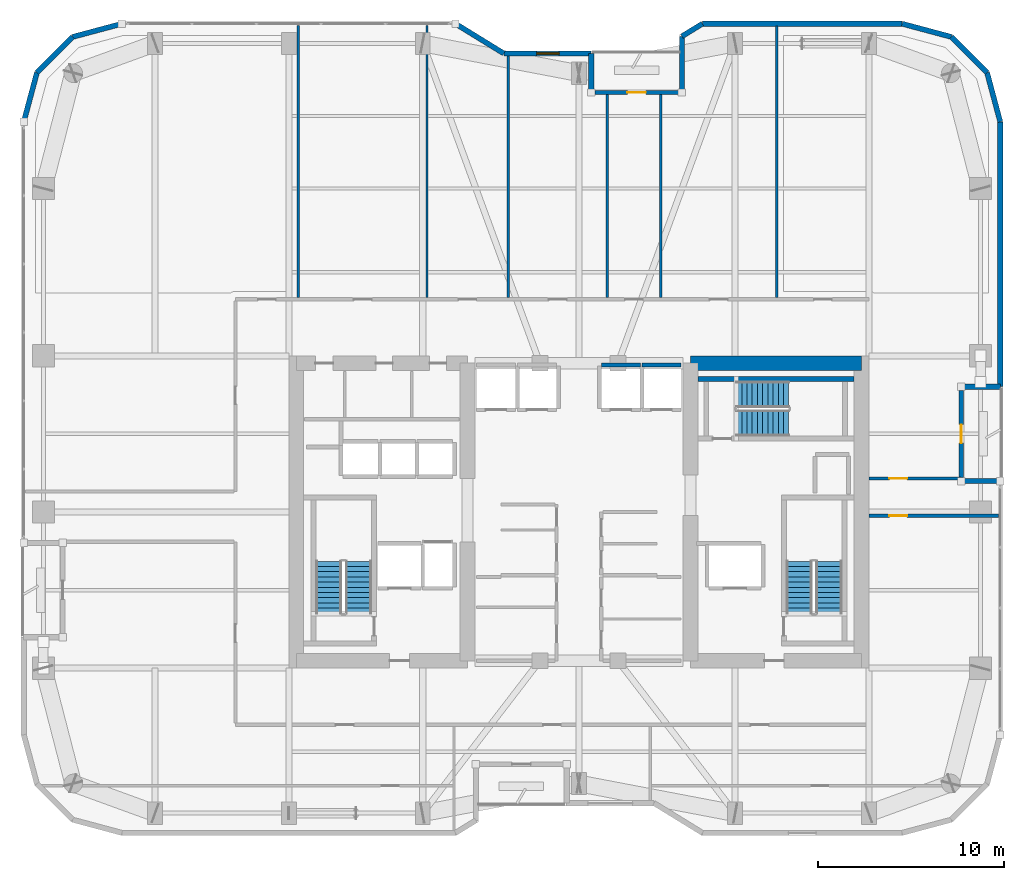
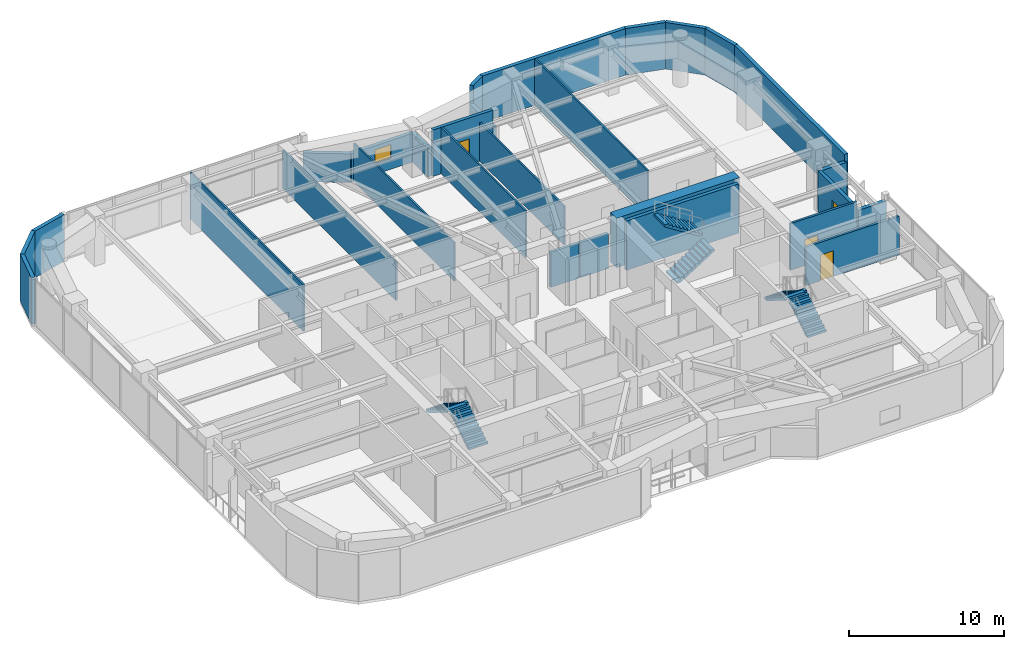
# One storey, part 27 of 30: 29 walls, 6 stair flights, 4 doors, 1 window, 5 openings, 3 elements without a shape of their own.
"""IFC4 building model written with IfcOpenShell, lengths in metres."""

from ifc_helpers import new_model, si_unit, direction, frame, frame_2d, origin, place, context, subcontext, project, spatial, polyline, rectangle, outline, extrude, material, layer, layer_set, type_object, element, fill, aggregate, save


model = new_model("IFC4")

# Units and contexts
model_context = context("Model", 3, precision=1e-05, world=origin(), true_north=direction((0.0, 1.0)))
body_context = subcontext(model_context, "Body", "Model", "MODEL_VIEW")
ifc_project = project(units=[si_unit("LENGTHUNIT", "METRE"), si_unit("AREAUNIT", "SQUARE_METRE"), si_unit("VOLUMEUNIT", "CUBIC_METRE"), si_unit("PLANEANGLEUNIT", "RADIAN"), si_unit("MASSUNIT", "GRAM", prefix="KILO")], contexts=[model_context])

# Site, building, storey
site_placement = place(None, origin())
site = spatial("IfcSite", under=ifc_project, at=site_placement, CompositionType="ELEMENT")
building_placement = place(site_placement, origin())
building = spatial("IfcBuilding", under=site, at=building_placement, Name="Kiyonajd Concourse Tower", CompositionType="ELEMENT")
storey_placement = place(building_placement, frame((0.0, 0.0, 174.0)))
storey = spatial("IfcBuildingStorey", under=building, at=storey_placement, Name="L44", CompositionType="ELEMENT", Elevation=174.0)

# Walls
ifc_material_1 = material(Name="Concrete C70/85", Category="concrete")
ifc_layer_1 = layer(ifc_material_1, 0.800048828125)
ifc_layer_set_1 = layer_set([ifc_layer_1], Name="Concrete C70/85")
wall_type_1 = type_object("IfcWallType", Name="WL-CORE-800", PredefinedType="SHEAR", material=ifc_layer_set_1)
wall_1_placement = place(storey_placement, frame((54.0, 44.0, 0.0), z_axis=(0.0, 0.0, 1.0), x_axis=(1.0, 0.0, 0.0)))
element("IfcWall", 1, at=wall_1_placement, inside=storey, type_object=wall_type_1, Name="L44 East Core North Shear Wall", PredefinedType="SHEAR", context=body_context, shape_type="SweptSolid", body=[
    extrude(rectangle(XDim=9.199951171875, YDim=0.800048828125, at=frame_2d((4.60009765625, 0.0))), origin(), (0.0, 0.0, 1.0), 3.89990234375),
])
ifc_material_2 = material(Name="Precast concrete C50/60", Category="concrete")
ifc_layer_2 = layer(ifc_material_2, 0.280029296875)
ifc_layer_set_2 = layer_set([ifc_layer_2], Name="Precast concrete C50/60")
wall_type_2 = type_object("IfcWallType", Name="WL-EXT-280", PredefinedType="SOLIDWALL", material=ifc_layer_set_2)
wall_2_placement = place(storey_placement, frame((18.139892578125, 56.981689453125, 0.0), z_axis=(0.0, 0.0, 1.0), x_axis=(0.258672222976, 0.9659651552, 0.0)))
element("IfcWall", 2, at=wall_2_placement, inside=storey, type_object=wall_type_2, Name="L44 Exterior Concrete Frame Wall 06", PredefinedType="SOLIDWALL", context=body_context, shape_type="SweptSolid", body=[
    extrude(rectangle(XDim=2.739013671875, YDim=0.280029296875, at=frame_2d((1.36962890625, 0.0))), origin(), (0.0, 0.0, 1.0), 3.679931640625),
])
wall_3_placement = place(storey_placement, frame((18.848388671875, 59.62744140625, 0.0), z_axis=(0.0, 0.0, 1.0), x_axis=(0.707106781187, 0.707106781187, 0.0)))
element("IfcWall", 3, at=wall_3_placement, inside=storey, type_object=wall_type_2, Name="L44 Exterior Concrete Frame Wall 07", PredefinedType="SOLIDWALL", context=body_context, shape_type="SweptSolid", body=[
    extrude(rectangle(XDim=2.720947265625, YDim=0.280029296875, at=frame_2d((1.3603515625, 0.0))), origin(), (0.0, 0.0, 1.0), 3.679931640625),
])
wall_4_placement = place(storey_placement, frame((20.7724609375, 61.551513671875, 0.0), z_axis=(0.0, 0.0, 1.0), x_axis=(0.965971118627, 0.258649952598, 0.0)))
element("IfcWall", 4, at=wall_4_placement, inside=storey, type_object=wall_type_2, Name="L44 Exterior Concrete Frame Wall 08", PredefinedType="SOLIDWALL", context=body_context, shape_type="SweptSolid", body=[
    extrude(rectangle(XDim=2.7392578125, YDim=0.280029296875, at=frame_2d((1.36962890625, 0.0))), origin(), (0.0, 0.0, 1.0), 3.679931640625),
])
wall_5_placement = place(storey_placement, frame((41.3603515625, 62.260009765625, 0.0), z_axis=(0.0, 0.0, 1.0), x_axis=(0.851652825334, -0.524106349037, 0.0)))
element("IfcWall", 5, at=wall_5_placement, inside=storey, type_object=wall_type_2, Name="L44 Exterior Concrete Frame Wall 10", PredefinedType="SOLIDWALL", context=body_context, shape_type="SweptSolid", body=[
    extrude(rectangle(XDim=3.052978515625, YDim=0.280029296875, at=frame_2d((1.5263671875, 0.0))), origin(), (0.0, 0.0, 1.0), 2.264892578125),
])

# Wall, opening, window
wall_6_placement = place(storey_placement, frame((43.96044921875, 60.659912109375, 0.0), z_axis=(0.0, 0.0, 1.0), x_axis=(1.0, 0.0, 0.0)))
wall_6 = element("IfcWall", 6, at=wall_6_placement, inside=storey, type_object=wall_type_2, Name="L44 Exterior Concrete Frame Wall 11", PredefinedType="SOLIDWALL", context=body_context, shape_type="SweptSolid", body=[
    extrude(rectangle(XDim=4.699462890625, YDim=0.280029296875, at=frame_2d((2.349609375, 0.0))), origin(), (0.0, 0.0, 1.0), 2.264892578125),
])
opening_1_placement = place(wall_6_placement, frame((1.77001953125, 0.0, 0.85009765625)))
opening_1 = element("IfcOpeningElement", 7, at=opening_1_placement, cuts=wall_6, Name="Opening WN3", PredefinedType="OPENING", context=body_context, shape_type="SweptSolid", body=[
    extrude(rectangle(XDim=1.199951171875, YDim=1.10009765625, at=frame_2d((0.60009765625, 0.550048828125))), frame((0.0, 0.14990234375, 0.0), z_axis=(0.0, -1.0, 0.0), x_axis=(1.0, 0.0, 0.0)), (0.0, 0.0, 1.0), 0.300048828125),
])
ifc_material_3 = material(Name="Double Low-E Insulated Glass", Category="glass")
window_type = type_object("IfcWindowType", Name="WN-VIS-1200x1100", PartitioningType="SINGLE_PANEL", PredefinedType="WINDOW", material=ifc_material_3)
window_placement = place(opening_1_placement, origin())
window = element("IfcWindow", 8, at=window_placement, inside=storey, type_object=window_type, Name="L44 Modular Facade Vision Window 11", OverallHeight=1.10009765625, OverallWidth=1.199951171875, PartitioningType="SINGLE_PANEL", PredefinedType="WINDOW", context=body_context, shape_type="SweptSolid", body=[
    extrude(rectangle(XDim=1.199951171875, YDim=1.10009765625, at=frame_2d((0.60009765625, 0.550048828125))), frame((0.0, 0.030029296875, 0.0), z_axis=(0.0, -1.0, 0.0), x_axis=(1.0, 0.0, 0.0)), (0.0, 0.0, 1.0), 0.06005859375),
])
fill(opening_1, window)

# Walls
wall_7_placement = place(storey_placement, frame((48.659912109375, 60.659912109375, 0.0), z_axis=(0.0, 0.0, 1.0), x_axis=(0.0, -1.0, 0.0)))
element("IfcWall", 9, at=wall_7_placement, inside=storey, type_object=wall_type_2, Name="L44 Exterior Concrete Frame Wall 12", PredefinedType="SOLIDWALL", context=body_context, shape_type="SweptSolid", body=[
    extrude(rectangle(XDim=2.099853515625, YDim=0.280029296875, at=frame_2d((1.0498046875, 0.0))), origin(), (0.0, 0.0, 1.0), 2.264892578125),
])
wall_8_placement = place(storey_placement, frame((53.5400390625, 58.56005859375, 0.0), z_axis=(0.0, 0.0, 1.0), x_axis=(0.0, 1.0, 0.0)))
element("IfcWall", 10, at=wall_8_placement, inside=storey, type_object=wall_type_2, Name="L44 Exterior Concrete Frame Wall 14", PredefinedType="SOLIDWALL", context=body_context, shape_type="SweptSolid", body=[
    extrude(rectangle(XDim=3.023681640625, YDim=0.280029296875, at=frame_2d((1.51171875, 0.0))), origin(), (0.0, 0.0, 1.0), 2.264892578125),
])
wall_9_placement = place(storey_placement, frame((53.5400390625, 61.583740234375, 0.0), z_axis=(0.0, 0.0, 1.0), x_axis=(0.851801140441, 0.523865266212, 0.0)))
element("IfcWall", 11, at=wall_9_placement, inside=storey, type_object=wall_type_2, Name="L44 Exterior Concrete Frame Wall 15", PredefinedType="SOLIDWALL", context=body_context, shape_type="SweptSolid", body=[
    extrude(rectangle(XDim=1.291015625, YDim=0.280029296875, at=frame_2d((0.6455078125, 0.0))), origin(), (0.0, 0.0, 1.0), 3.679931640625),
])
wall_10_placement = place(storey_placement, frame((54.6396484375, 62.260009765625, 0.0), z_axis=(0.0, 0.0, 1.0), x_axis=(1.0, 0.0, 0.0)))
element("IfcWall", 12, at=wall_10_placement, inside=storey, type_object=wall_type_2, Name="L44 Exterior Concrete Frame Wall 16", PredefinedType="SOLIDWALL", context=body_context, shape_type="SweptSolid", body=[
    extrude(rectangle(XDim=10.741943359375, YDim=0.280029296875, at=frame_2d((5.37109375, 0.0))), origin(), (0.0, 0.0, 1.0), 3.679931640625),
])
wall_11_placement = place(storey_placement, frame((65.381591796875, 62.260009765625, 0.0), z_axis=(0.0, 0.0, 1.0), x_axis=(0.965971118627, -0.258649952598, 0.0)))
element("IfcWall", 13, at=wall_11_placement, inside=storey, type_object=wall_type_2, Name="L44 Exterior Concrete Frame Wall 17", PredefinedType="SOLIDWALL", context=body_context, shape_type="SweptSolid", body=[
    extrude(rectangle(XDim=2.7392578125, YDim=0.280029296875, at=frame_2d((1.36962890625, 0.0))), origin(), (0.0, 0.0, 1.0), 3.679931640625),
])
wall_12_placement = place(storey_placement, frame((68.027587890625, 61.551513671875, 0.0), z_axis=(0.0, 0.0, 1.0), x_axis=(0.707061915429, -0.707151644098, 0.0)))
element("IfcWall", 14, at=wall_12_placement, inside=storey, type_object=wall_type_2, Name="L44 Exterior Concrete Frame Wall 18", PredefinedType="SOLIDWALL", context=body_context, shape_type="SweptSolid", body=[
    extrude(rectangle(XDim=2.720947265625, YDim=0.280029296875, at=frame_2d((1.3603515625, 0.0))), origin(), (0.0, 0.0, 1.0), 3.679931640625),
])
wall_13_placement = place(storey_placement, frame((69.951416015625, 59.62744140625, 0.0), z_axis=(0.0, 0.0, 1.0), x_axis=(0.258672222976, -0.9659651552, 0.0)))
element("IfcWall", 15, at=wall_13_placement, inside=storey, type_object=wall_type_2, Name="L44 Exterior Concrete Frame Wall 19", PredefinedType="SOLIDWALL", context=body_context, shape_type="SweptSolid", body=[
    extrude(rectangle(XDim=2.739013671875, YDim=0.280029296875, at=frame_2d((1.36962890625, 0.0))), origin(), (0.0, 0.0, 1.0), 3.679931640625),
])
wall_14_placement = place(storey_placement, frame((70.659912109375, 56.981689453125, 0.0), z_axis=(0.0, 0.0, 1.0), x_axis=(0.0, -1.0, 0.0)))
element("IfcWall", 16, at=wall_14_placement, inside=storey, type_object=wall_type_2, Name="L44 Exterior Concrete Frame Wall 20", PredefinedType="SOLIDWALL", context=body_context, shape_type="SweptSolid", body=[
    extrude(rectangle(XDim=14.24169921875, YDim=0.280029296875, at=frame_2d((7.120849609375, 0.0))), origin(), (0.0, 0.0, 1.0), 3.679931640625),
])
for number, where, z_axis, x_axis, name in (
    (17, (70.659912109375, 42.739990234375, 0.0), (0.0, 0.0, 1.0), (-1.0, 0.0, 0.0), "L44 Exterior Concrete Frame Wall 21"),
    (18, (68.56005859375, 37.659912109375, 0.0), (0.0, 0.0, 1.0), (1.0, 0.0, 0.0), "L44 Exterior Concrete Frame Wall 23"),
):
    element("IfcWall", number, at=place(storey_placement, frame(where, z_axis=z_axis, x_axis=x_axis)), inside=storey, type_object=wall_type_2, Name=name, PredefinedType="SOLIDWALL", context=body_context, shape_type="SweptSolid", body=[
        extrude(rectangle(XDim=2.099853515625, YDim=0.280029296875, at=frame_2d((1.0498046875, 0.0))), origin(), (0.0, 0.0, 1.0), 3.115966796875),
    ])

# Wall, opening, door
ifc_layer_3 = layer(ifc_material_2, 0.239990234375)
ifc_layer_set_3 = layer_set([ifc_layer_3], Name="Precast concrete C50/60")
wall_type_3 = type_object("IfcWallType", Name="WL-LOG-240", PredefinedType="SOLIDWALL", material=ifc_layer_set_3)
wall_15_placement = place(storey_placement, frame((48.85498046875, 58.56005859375, 0.0), z_axis=(0.0, 0.0, 1.0), x_axis=(1.0, 0.0, 0.0)))
wall_15 = element("IfcWall", 19, at=wall_15_placement, inside=storey, type_object=wall_type_3, Name="L44 Recessed Loggia Thermal Wall LOG-N", PredefinedType="SOLIDWALL", context=body_context, shape_type="SweptSolid", body=[
    extrude(rectangle(XDim=4.489990234375, YDim=0.239990234375, at=frame_2d((2.2451171875, 0.0))), origin(), (0.0, 0.0, 1.0), 3.679931640625),
])
opening_2_placement = place(wall_15_placement, frame((1.7451171875, 0.0, 0.0)))
opening_2 = element("IfcOpeningElement", 20, at=opening_2_placement, cuts=wall_15, Name="Opening DL1", PredefinedType="OPENING", context=body_context, shape_type="SweptSolid", body=[
    extrude(rectangle(XDim=1.0, YDim=2.02001953125, at=frame_2d((0.5, 1.010009765625))), frame((0.0, 0.1298828125, 0.0), z_axis=(0.0, -1.0, 0.0), x_axis=(1.0, 0.0, 0.0)), (0.0, 0.0, 1.0), 0.260009765625),
])
ifc_material_4 = material(Name="Thermally Broken Anodised Aluminium", Category="aluminium")
door_type_1 = type_object("IfcDoorType", Name="DR-LOG-1000", OperationType="NOTDEFINED", PredefinedType="DOOR", material=ifc_material_4)
door_1_placement = place(opening_2_placement, origin())
door_1 = element("IfcDoor", 21, at=door_1_placement, inside=storey, type_object=door_type_1, Name="L44 Engawa Loggia Access Door LOG-N", OperationType="SINGLE_SWING_RIGHT", OverallHeight=2.02001953125, OverallWidth=1.0, PredefinedType="DOOR", context=body_context, shape_type="SweptSolid", body=[
    extrude(rectangle(XDim=1.0, YDim=2.02001953125, at=frame_2d((0.5, 1.010009765625))), frame((0.0, 0.02490234375, 0.0), z_axis=(0.0, -1.0, 0.0), x_axis=(1.0, 0.0, 0.0)), (0.0, 0.0, 1.0), 0.050048828125),
])
fill(opening_2, door_1)

wall_16_placement = place(storey_placement, frame((68.56005859375, 42.544921875, 0.0), z_axis=(0.0, 0.0, 1.0), x_axis=(0.0, -1.0, 0.0)))
wall_16 = element("IfcWall", 22, at=wall_16_placement, inside=storey, type_object=wall_type_3, Name="L44 Recessed Loggia Thermal Wall LOG-E", PredefinedType="SOLIDWALL", context=body_context, shape_type="SweptSolid", body=[
    extrude(rectangle(XDim=4.68994140625, YDim=0.239990234375, at=frame_2d((2.344970703125, 0.0))), origin(), (0.0, 0.0, 1.0), 3.248046875),
])
opening_3_placement = place(wall_16_placement, frame((1.844970703125, 0.0, 0.0)))
opening_3 = element("IfcOpeningElement", 23, at=opening_3_placement, cuts=wall_16, Name="Opening DL1", PredefinedType="OPENING", context=body_context, shape_type="SweptSolid", body=[
    extrude(rectangle(XDim=1.0, YDim=2.02001953125, at=frame_2d((0.5, 1.010009765625))), frame((0.0, 0.1298828125, 0.0), z_axis=(0.0, -1.0, 0.0), x_axis=(1.0, 0.0, 0.0)), (0.0, 0.0, 1.0), 0.260009765625),
])
door_2_placement = place(opening_3_placement, origin())
door_2 = element("IfcDoor", 24, at=door_2_placement, inside=storey, type_object=door_type_1, Name="L44 Engawa Loggia Access Door LOG-E", OperationType="SINGLE_SWING_LEFT", OverallHeight=2.02001953125, OverallWidth=1.0, PredefinedType="DOOR", context=body_context, shape_type="SweptSolid", body=[
    extrude(rectangle(XDim=1.0, YDim=2.02001953125, at=frame_2d((0.5, 1.010009765625))), frame((0.0, 0.02490234375, 0.0), z_axis=(0.0, -1.0, 0.0), x_axis=(1.0, 0.0, 0.0)), (0.0, 0.0, 1.0), 0.050048828125),
])
fill(opening_3, door_2)

# Walls
ifc_material_5 = material(Name="Gypsum Board on Cold-Formed Steel Stud", Category="steel")
ifc_layer_4 = layer(ifc_material_5, 0.125)
ifc_layer_set_4 = layer_set([ifc_layer_4], Name="Gypsum Board on Cold-Formed Steel Stud")
wall_type_4 = type_object("IfcWallType", Name="WL-PART-125", PredefinedType="PARTITIONING", material=ifc_layer_set_4)
wall_17_placement = place(storey_placement, frame((32.909912109375, 47.527099609375, 0.0), z_axis=(0.0, 0.0, 1.0), x_axis=(0.0, 1.0, 0.0)))
element("IfcWall", 25, at=wall_17_placement, inside=storey, type_object=wall_type_4, Name="L44 Interior Partition Wall", PredefinedType="PARTITIONING", context=body_context, shape_type="SweptSolid", body=[
    extrude(rectangle(XDim=14.637939453125, YDim=0.125, at=frame_2d((7.31884765625, 0.0))), origin(), (0.0, 0.0, 1.0), 3.679931640625),
])
wall_18_placement = place(storey_placement, frame((39.830078125, 47.527099609375, 0.0), z_axis=(0.0, 0.0, 1.0), x_axis=(0.0, 1.0, 0.0)))
element("IfcWall", 26, at=wall_18_placement, inside=storey, type_object=wall_type_4, Name="L44 Interior Partition Wall", PredefinedType="PARTITIONING", context=body_context, shape_type="SweptSolid", body=[
    extrude(rectangle(XDim=14.637939453125, YDim=0.125, at=frame_2d((7.31884765625, 0.0))), origin(), (0.0, 0.0, 1.0), 3.04296875),
])
wall_19_placement = place(storey_placement, frame((44.18994140625, 47.527099609375, 0.0), z_axis=(0.0, 0.0, 1.0), x_axis=(0.0, 1.0, 0.0)))
element("IfcWall", 27, at=wall_19_placement, inside=storey, type_object=wall_type_4, Name="L44 Interior Partition Wall", PredefinedType="PARTITIONING", context=body_context, shape_type="SweptSolid", body=[
    extrude(rectangle(XDim=12.997802734375, YDim=0.125, at=frame_2d((6.4990234375, 0.0))), origin(), (0.0, 0.0, 1.0), 3.04296875),
])
wall_20_placement = place(storey_placement, frame((49.530029296875, 47.527099609375, 0.0), z_axis=(0.0, 0.0, 1.0), x_axis=(0.0, 1.0, 0.0)))
element("IfcWall", 28, at=wall_20_placement, inside=storey, type_object=wall_type_4, Name="L44 Interior Partition Wall", PredefinedType="PARTITIONING", context=body_context, shape_type="SweptSolid", body=[
    extrude(rectangle(XDim=10.91796875, YDim=0.125, at=frame_2d((5.458984375, 0.0))), origin(), (0.0, 0.0, 1.0), 3.679931640625),
])
wall_21_placement = place(storey_placement, frame((52.39990234375, 47.527099609375, 0.0), z_axis=(0.0, 0.0, 1.0), x_axis=(0.0, 1.0, 0.0)))
element("IfcWall", 29, at=wall_21_placement, inside=storey, type_object=wall_type_4, Name="L44 Interior Partition Wall", PredefinedType="PARTITIONING", context=body_context, shape_type="SweptSolid", body=[
    extrude(rectangle(XDim=10.91796875, YDim=0.125, at=frame_2d((5.458984375, 0.0))), origin(), (0.0, 0.0, 1.0), 3.04296875),
])
wall_22_placement = place(storey_placement, frame((58.639892578125, 47.527099609375, 0.0), z_axis=(0.0, 0.0, 1.0), x_axis=(0.0, 1.0, 0.0)))
element("IfcWall", 30, at=wall_22_placement, inside=storey, type_object=wall_type_4, Name="L44 Interior Partition Wall", PredefinedType="PARTITIONING", context=body_context, shape_type="SweptSolid", body=[
    extrude(rectangle(XDim=14.597900390625, YDim=0.125, at=frame_2d((7.298828125, 0.0))), origin(), (0.0, 0.0, 1.0), 3.679931640625),
])
ifc_layer_5 = layer(ifc_material_5, 0.2099609375)
ifc_layer_set_5 = layer_set([ifc_layer_5], Name="Gypsum Board on Cold-Formed Steel Stud")
wall_type_5 = type_object("IfcWallType", Name="WL-SHAFT-210", PredefinedType="PARTITIONING", material=ifc_layer_set_5)
for number, where, z_axis, x_axis, name in (
    (31, (49.199951171875, 43.89990234375, 0.0), (0.0, 0.0, 1.0), (1.0, 0.0, 0.0), "L44 Shaft Enclosure Wall"),
    (32, (51.39990234375, 43.89990234375, 0.0), (0.0, 0.0, 1.0), (1.0, 0.0, 0.0), "L44 Shaft Enclosure Wall"),
):
    element("IfcWall", number, at=place(storey_placement, frame(where, z_axis=z_axis, x_axis=x_axis)), inside=storey, type_object=wall_type_5, Name=name, PredefinedType="PARTITIONING", context=body_context, shape_type="SweptSolid", body=[
        extrude(rectangle(XDim=2.10009765625, YDim=0.2099609375, at=frame_2d((1.050048828125, 0.0))), origin(), (0.0, 0.0, 1.0), 2.764892578125),
    ])

# Wall, opening, door
ifc_layer_6 = layer(ifc_material_5, 0.169921875)
ifc_layer_set_6 = layer_set([ifc_layer_6], Name="Gypsum Board on Cold-Formed Steel Stud")
wall_type_6 = type_object("IfcWallType", Name="WL-SMK-170", PredefinedType="PARTITIONING", material=ifc_layer_set_6)
wall_23_placement = place(storey_placement, frame((63.60009765625, 35.800048828125, 0.0), z_axis=(0.0, 0.0, 1.0), x_axis=(1.0, 0.0, 0.0)))
wall_23 = element("IfcWall", 33, at=wall_23_placement, inside=storey, type_object=wall_type_6, Name="L44 Interior Partition Wall", PredefinedType="PARTITIONING", context=body_context, shape_type="SweptSolid", body=[
    extrude(rectangle(XDim=6.974853515625, YDim=0.169921875, at=frame_2d((3.4873046875, 0.0))), origin(), (0.0, 0.0, 1.0), 3.04296875),
])
opening_4_placement = place(wall_23_placement, frame((1.10009765625, 0.0, 0.0)))
opening_4 = element("IfcOpeningElement", 34, at=opening_4_placement, cuts=wall_23, Name="Opening DI1", PredefinedType="OPENING", context=body_context, shape_type="SweptSolid", body=[
    extrude(rectangle(XDim=0.949951171875, YDim=2.0400390625, at=frame_2d((0.47509765625, 1.02001953125))), frame((0.0, 0.094970703125, 0.0), z_axis=(0.0, -1.0, 0.0), x_axis=(1.0, 0.0, 0.0)), (0.0, 0.0, 1.0), 0.18994140625),
])
ifc_material_6 = material(Name="Natural Oak Acoustic Timber Veneer", Category="wood")
door_type_2 = type_object("IfcDoorType", Name="DR-INT-950", OperationType="NOTDEFINED", PredefinedType="DOOR", material=ifc_material_6)
door_3_placement = place(opening_4_placement, origin())
door_3 = element("IfcDoor", 35, at=door_3_placement, inside=storey, type_object=door_type_2, Name="L44 Interior Door", OperationType="SINGLE_SWING_RIGHT", OverallHeight=2.0400390625, OverallWidth=0.949951171875, PredefinedType="DOOR", context=body_context, shape_type="SweptSolid", body=[
    extrude(rectangle(XDim=0.949951171875, YDim=2.0400390625, at=frame_2d((0.47509765625, 1.02001953125))), frame((0.0, 0.02490234375, 0.0), z_axis=(0.0, -1.0, 0.0), x_axis=(1.0, 0.0, 0.0)), (0.0, 0.0, 1.0), 0.050048828125),
])
fill(opening_4, door_3)

wall_24_placement = place(storey_placement, frame((63.60009765625, 37.800048828125, 0.0), z_axis=(0.0, 0.0, 1.0), x_axis=(1.0, 0.0, 0.0)))
wall_24 = element("IfcWall", 36, at=wall_24_placement, inside=storey, type_object=wall_type_6, Name="L44 Interior Partition Wall", PredefinedType="PARTITIONING", context=body_context, shape_type="SweptSolid", body=[
    extrude(rectangle(XDim=4.9599609375, YDim=0.169921875, at=frame_2d((2.47998046875, 0.0))), origin(), (0.0, 0.0, 1.0), 3.679931640625),
])
opening_5_placement = place(wall_24_placement, frame((1.10009765625, 0.0, 0.0)))
opening_5 = element("IfcOpeningElement", 37, at=opening_5_placement, cuts=wall_24, Name="Opening DI1", PredefinedType="OPENING", context=body_context, shape_type="SweptSolid", body=[
    extrude(rectangle(XDim=0.949951171875, YDim=2.0400390625, at=frame_2d((0.47509765625, 1.02001953125))), frame((0.0, 0.094970703125, 0.0), z_axis=(0.0, -1.0, 0.0), x_axis=(1.0, 0.0, 0.0)), (0.0, 0.0, 1.0), 0.18994140625),
])
door_4_placement = place(opening_5_placement, origin())
door_4 = element("IfcDoor", 38, at=door_4_placement, inside=storey, type_object=door_type_2, Name="L44 Interior Door", OperationType="SINGLE_SWING_LEFT", OverallHeight=2.0400390625, OverallWidth=0.949951171875, PredefinedType="DOOR", context=body_context, shape_type="SweptSolid", body=[
    extrude(rectangle(XDim=0.949951171875, YDim=2.0400390625, at=frame_2d((0.47509765625, 1.02001953125))), frame((0.0, 0.02490234375, 0.0), z_axis=(0.0, -1.0, 0.0), x_axis=(1.0, 0.0, 0.0)), (0.0, 0.0, 1.0), 0.050048828125),
])
fill(opening_5, door_4)

# Wall
ifc_material_7 = material(Name="Concrete C50/60", Category="concrete")
ifc_layer_7 = layer(ifc_material_7, 0.260009765625)
ifc_layer_set_7 = layer_set([ifc_layer_7], Name="Concrete C50/60")
wall_type_7 = type_object("IfcWallType", Name="WL-STAIR-260", PredefinedType="SHEAR", material=ifc_layer_set_7)
wall_25_placement = place(storey_placement, frame((54.39990234375, 43.14990234375, 0.0), z_axis=(0.0, 0.0, 1.0), x_axis=(1.0, 0.0, 0.0)))
element("IfcWall", 39, at=wall_25_placement, inside=storey, type_object=wall_type_7, Name="L44 Stair ST3 Structural North Wall", PredefinedType="SHEAR", context=body_context, shape_type="SweptSolid", body=[
    extrude(rectangle(XDim=8.400146484375, YDim=0.260009765625, at=frame_2d((4.2001953125, 0.0))), origin(), (0.0, 0.0, 1.0), 3.89990234375),
])

# Stair, stair flights
ifc_material_8 = material(Name="Concrete C40/50", Category="concrete")
stair_type = type_object("IfcStairType", Name="ST-DLG-22R", PredefinedType="HALF_TURN_STAIR", material=ifc_material_8)
stair_1_placement = place(storey_placement, origin())
stair_1 = element("IfcStair", 40, at=stair_1_placement, inside=storey, type_object=stair_type, Name="L44 Protected Exit Stair ST1", PredefinedType="HALF_TURN_STAIR")
stair_flight_type = type_object("IfcStairFlightType", Name="SF-STR-22R", PredefinedType="STRAIGHT", material=ifc_material_8)
stair_flight_1_placement = place(storey_placement, frame((36.14990234375, 30.550048828125, 0.0), z_axis=(0.0, 0.0, 1.0), x_axis=(0.0, 1.0, 0.0)))
stair_flight_1 = element("IfcStairFlight", 41, at=stair_flight_1_placement, type_object=stair_flight_type, Name="ST1 flight 1", NumberOfRisers=11, NumberOfTreads=10, PredefinedType="STRAIGHT", RiserHeight=0.177272727, TreadLength=0.28, context=body_context, shape_type="SweptSolid", body=[
    extrude(outline(polyline([(0.0, 0.0), (0.0, 0.17724609375), (0.280029296875, 0.17724609375), (0.280029296875, 0.3544921875), (0.56005859375, 0.3544921875), (0.56005859375, 0.53173828125), (0.840087890625, 0.53173828125), (0.840087890625, 0.708984375), (1.1201171875, 0.708984375), (1.1201171875, 0.886474609375), (1.39990234375, 0.886474609375), (1.39990234375, 1.063720703125), (1.679931640625, 1.063720703125), (1.679931640625, 1.240966796875), (1.9599609375, 1.240966796875), (1.9599609375, 1.418212890625), (2.239990234375, 1.418212890625), (2.239990234375, 1.595458984375), (2.52001953125, 1.595458984375), (2.52001953125, 1.772705078125), (2.800048828125, 1.772705078125), (2.800048828125, 1.949951171875), (2.800048828125, 1.59521484375), (0.2802734375, 0.0), (0.0, 0.0)])), frame((0.0, 0.699951171875, 0.0), z_axis=(0.0, -1.0, 0.0), x_axis=(1.0, 0.0, 0.0)), (0.0, 0.0, 1.0), 1.39990234375),
])
stair_flight_2_placement = place(storey_placement, frame((34.550048828125, 33.35009765625, 1.949951171875), z_axis=(0.0, 0.0, 1.0), x_axis=(0.0, -1.0, 0.0)))
stair_flight_2 = element("IfcStairFlight", 42, at=stair_flight_2_placement, type_object=stair_flight_type, Name="ST1 flight 2", NumberOfRisers=11, NumberOfTreads=10, PredefinedType="STRAIGHT", RiserHeight=0.177272727, TreadLength=0.28, context=body_context, shape_type="SweptSolid", body=[
    extrude(outline(polyline([(0.0, 0.0), (0.0, 0.17724609375), (0.280029296875, 0.17724609375), (0.280029296875, 0.3544921875), (0.56005859375, 0.3544921875), (0.56005859375, 0.53173828125), (0.840087890625, 0.53173828125), (0.840087890625, 0.708984375), (1.1201171875, 0.708984375), (1.1201171875, 0.886474609375), (1.39990234375, 0.886474609375), (1.39990234375, 1.063720703125), (1.679931640625, 1.063720703125), (1.679931640625, 1.240966796875), (1.9599609375, 1.240966796875), (1.9599609375, 1.418212890625), (2.239990234375, 1.418212890625), (2.239990234375, 1.595458984375), (2.52001953125, 1.595458984375), (2.52001953125, 1.772705078125), (2.800048828125, 1.772705078125), (2.800048828125, 1.949951171875), (2.800048828125, 1.59521484375), (0.2802734375, 0.0), (0.0, 0.0)])), frame((0.0, 0.699951171875, 0.0), z_axis=(0.0, -1.0, 0.0), x_axis=(1.0, 0.0, 0.0)), (0.0, 0.0, 1.0), 1.39990234375),
])
aggregate(stair_1, [stair_flight_1, stair_flight_2])

stair_2_placement = place(storey_placement, origin())
stair_2 = element("IfcStair", 43, at=stair_2_placement, inside=storey, type_object=stair_type, Name="L44 Protected Exit Stair ST2", PredefinedType="HALF_TURN_STAIR")
stair_flight_3_placement = place(storey_placement, frame((61.449951171875, 30.550048828125, 0.0), z_axis=(0.0, 0.0, 1.0), x_axis=(0.0, 1.0, 0.0)))
stair_flight_3 = element("IfcStairFlight", 44, at=stair_flight_3_placement, type_object=stair_flight_type, Name="ST2 flight 1", NumberOfRisers=11, NumberOfTreads=10, PredefinedType="STRAIGHT", RiserHeight=0.177272727, TreadLength=0.28, context=body_context, shape_type="SweptSolid", body=[
    extrude(outline(polyline([(0.0, 0.0), (0.0, 0.17724609375), (0.280029296875, 0.17724609375), (0.280029296875, 0.3544921875), (0.56005859375, 0.3544921875), (0.56005859375, 0.53173828125), (0.840087890625, 0.53173828125), (0.840087890625, 0.708984375), (1.1201171875, 0.708984375), (1.1201171875, 0.886474609375), (1.39990234375, 0.886474609375), (1.39990234375, 1.063720703125), (1.679931640625, 1.063720703125), (1.679931640625, 1.240966796875), (1.9599609375, 1.240966796875), (1.9599609375, 1.418212890625), (2.239990234375, 1.418212890625), (2.239990234375, 1.595458984375), (2.52001953125, 1.595458984375), (2.52001953125, 1.772705078125), (2.800048828125, 1.772705078125), (2.800048828125, 1.949951171875), (2.800048828125, 1.59521484375), (0.2802734375, 0.0), (0.0, 0.0)])), frame((0.0, 0.699951171875, 0.0), z_axis=(0.0, -1.0, 0.0), x_axis=(1.0, 0.0, 0.0)), (0.0, 0.0, 1.0), 1.39990234375),
])
stair_flight_4_placement = place(storey_placement, frame((59.85009765625, 33.35009765625, 1.949951171875), z_axis=(0.0, 0.0, 1.0), x_axis=(0.0, -1.0, 0.0)))
stair_flight_4 = element("IfcStairFlight", 45, at=stair_flight_4_placement, type_object=stair_flight_type, Name="ST2 flight 2", NumberOfRisers=11, NumberOfTreads=10, PredefinedType="STRAIGHT", RiserHeight=0.177272727, TreadLength=0.28, context=body_context, shape_type="SweptSolid", body=[
    extrude(outline(polyline([(0.0, 0.0), (0.0, 0.17724609375), (0.280029296875, 0.17724609375), (0.280029296875, 0.3544921875), (0.56005859375, 0.3544921875), (0.56005859375, 0.53173828125), (0.840087890625, 0.53173828125), (0.840087890625, 0.708984375), (1.1201171875, 0.708984375), (1.1201171875, 0.886474609375), (1.39990234375, 0.886474609375), (1.39990234375, 1.063720703125), (1.679931640625, 1.063720703125), (1.679931640625, 1.240966796875), (1.9599609375, 1.240966796875), (1.9599609375, 1.418212890625), (2.239990234375, 1.418212890625), (2.239990234375, 1.595458984375), (2.52001953125, 1.595458984375), (2.52001953125, 1.772705078125), (2.800048828125, 1.772705078125), (2.800048828125, 1.949951171875), (2.800048828125, 1.59521484375), (0.2802734375, 0.0), (0.0, 0.0)])), frame((0.0, 0.699951171875, 0.0), z_axis=(0.0, -1.0, 0.0), x_axis=(1.0, 0.0, 0.0)), (0.0, 0.0, 1.0), 1.39990234375),
])
aggregate(stair_2, [stair_flight_3, stair_flight_4])

stair_3_placement = place(storey_placement, origin())
stair_3 = element("IfcStair", 46, at=stair_3_placement, inside=storey, type_object=stair_type, Name="L44 Protected Exit Stair ST3", PredefinedType="HALF_TURN_STAIR")
stair_flight_5_placement = place(storey_placement, frame((56.47998046875, 40.780029296875, 0.0), z_axis=(0.0, 0.0, 1.0), x_axis=(1.0, 0.0, 0.0)))
stair_flight_5 = element("IfcStairFlight", 47, at=stair_flight_5_placement, type_object=stair_flight_type, Name="ST3 flight 1", NumberOfRisers=11, NumberOfTreads=10, PredefinedType="STRAIGHT", RiserHeight=0.177272727, TreadLength=0.28, context=body_context, shape_type="SweptSolid", body=[
    extrude(outline(polyline([(0.0, 0.0), (0.0, 0.17724609375), (0.280029296875, 0.17724609375), (0.280029296875, 0.3544921875), (0.56005859375, 0.3544921875), (0.56005859375, 0.53173828125), (0.840087890625, 0.53173828125), (0.840087890625, 0.708984375), (1.1201171875, 0.708984375), (1.1201171875, 0.886474609375), (1.39990234375, 0.886474609375), (1.39990234375, 1.063720703125), (1.679931640625, 1.063720703125), (1.679931640625, 1.240966796875), (1.9599609375, 1.240966796875), (1.9599609375, 1.418212890625), (2.239990234375, 1.418212890625), (2.239990234375, 1.595458984375), (2.52001953125, 1.595458984375), (2.52001953125, 1.772705078125), (2.800048828125, 1.772705078125), (2.800048828125, 1.949951171875), (2.800048828125, 1.59521484375), (0.2802734375, 0.0), (0.0, 0.0)])), frame((0.0, 0.699951171875, 0.0), z_axis=(0.0, -1.0, 0.0), x_axis=(1.0, 0.0, 0.0)), (0.0, 0.0, 1.0), 1.39990234375),
])
stair_flight_6_placement = place(storey_placement, frame((59.280029296875, 42.320068359375, 1.949951171875), z_axis=(0.0, 0.0, 1.0), x_axis=(-1.0, 0.0, 0.0)))
stair_flight_6 = element("IfcStairFlight", 48, at=stair_flight_6_placement, type_object=stair_flight_type, Name="ST3 flight 2", NumberOfRisers=11, NumberOfTreads=10, PredefinedType="STRAIGHT", RiserHeight=0.177272727, TreadLength=0.28, context=body_context, shape_type="SweptSolid", body=[
    extrude(outline(polyline([(0.0, 0.0), (0.0, 0.17724609375), (0.280029296875, 0.17724609375), (0.280029296875, 0.3544921875), (0.56005859375, 0.3544921875), (0.56005859375, 0.53173828125), (0.840087890625, 0.53173828125), (0.840087890625, 0.708984375), (1.1201171875, 0.708984375), (1.1201171875, 0.886474609375), (1.39990234375, 0.886474609375), (1.39990234375, 1.063720703125), (1.679931640625, 1.063720703125), (1.679931640625, 1.240966796875), (1.9599609375, 1.240966796875), (1.9599609375, 1.418212890625), (2.239990234375, 1.418212890625), (2.239990234375, 1.595458984375), (2.52001953125, 1.595458984375), (2.52001953125, 1.772705078125), (2.800048828125, 1.772705078125), (2.800048828125, 1.949951171875), (2.800048828125, 1.59521484375), (0.2802734375, 0.0), (0.0, 0.0)])), frame((0.0, 0.699951171875, 0.0), z_axis=(0.0, -1.0, 0.0), x_axis=(1.0, 0.0, 0.0)), (0.0, 0.0, 1.0), 1.39990234375),
])
aggregate(stair_3, [stair_flight_5, stair_flight_6])

save(model, "model.ifc")
